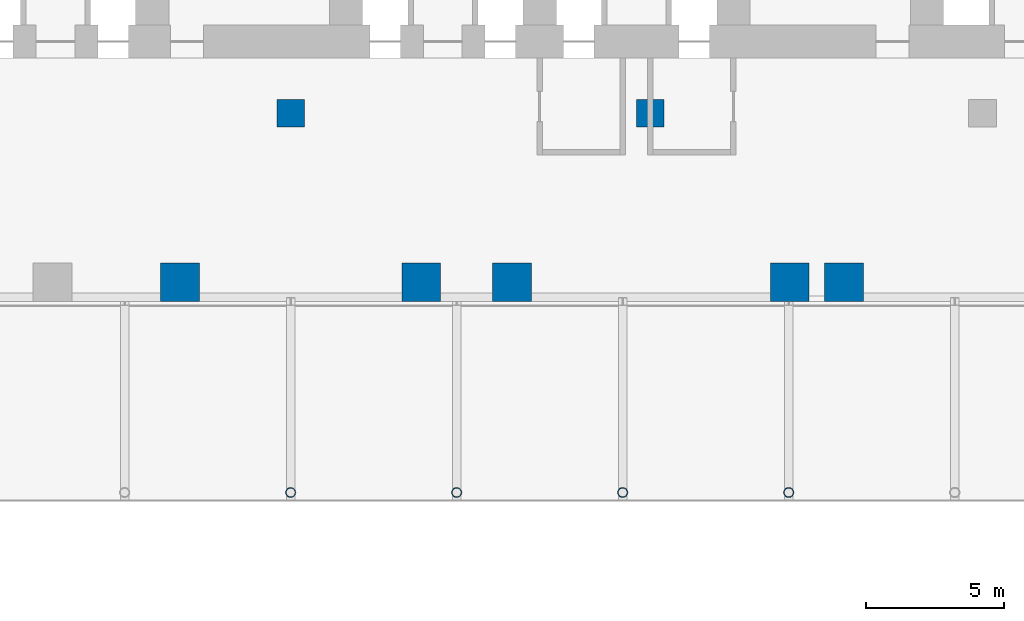
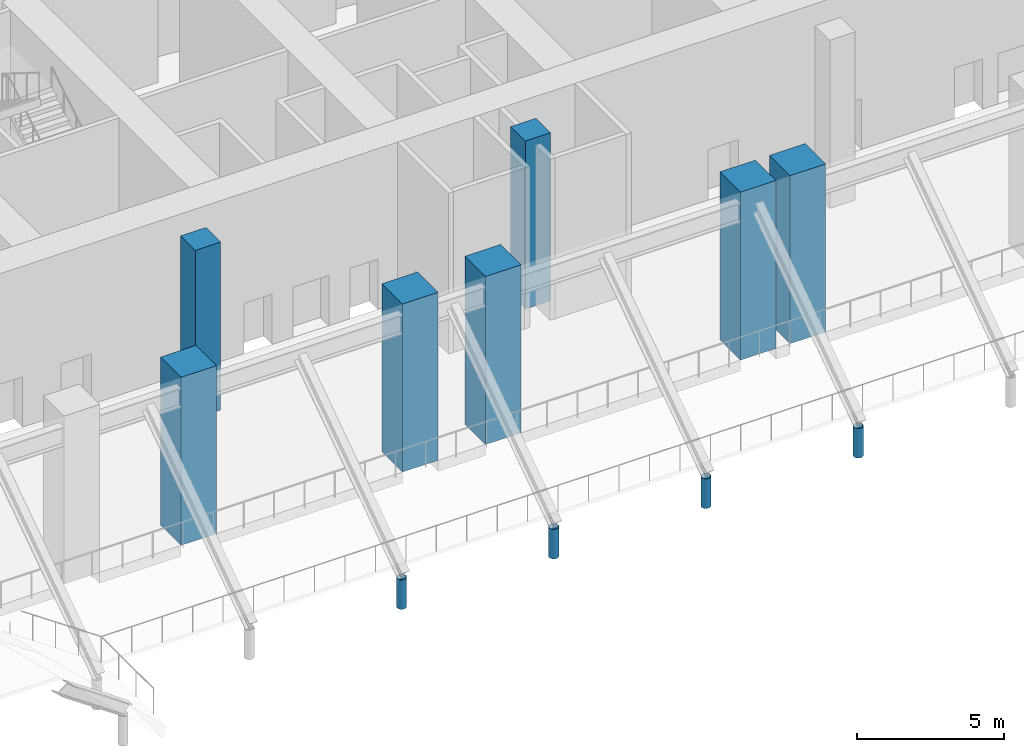
# One storey, part 4 of 41: 11 columns.
"""IFC4 building model written with IfcOpenShell, lengths in metres."""

from ifc_helpers import new_model, si_unit, direction, frame, origin, origin_2d, place, context, subcontext, project, spatial, rectangle, hollow_circle, extrude, material, material_profile, profile_set, type_object, element, save


model = new_model("IFC4")

# Units and contexts
model_context = context("Model", 3, precision=1e-05, world=origin(), true_north=direction((0.0, 1.0)))
body_context = subcontext(model_context, "Body", "Model", "MODEL_VIEW")
ifc_project = project(units=[si_unit("LENGTHUNIT", "METRE"), si_unit("AREAUNIT", "SQUARE_METRE"), si_unit("VOLUMEUNIT", "CUBIC_METRE"), si_unit("PLANEANGLEUNIT", "RADIAN"), si_unit("MASSUNIT", "GRAM", prefix="KILO")], contexts=[model_context])

# Site, building, storey
site_placement = place(None, origin())
site = spatial("IfcSite", under=ifc_project, at=site_placement, CompositionType="ELEMENT")
building_placement = place(site_placement, origin())
building = spatial("IfcBuilding", under=site, at=building_placement, Name="Wharfspan Tower", CompositionType="ELEMENT")
storey_placement = place(building_placement, frame((0.0, 0.0, 8.0)))
storey = spatial("IfcBuildingStorey", under=building, at=storey_placement, Name="L01", CompositionType="ELEMENT", Elevation=8.0)

# Columns
ifc_material_1 = material(Name="Concrete C60/75", Category="concrete")
ifc_material_profile_1 = material_profile(ifc_material_1, rectangle(XDim=1.0, YDim=1.0, at=origin_2d()))
ifc_profile_set_1 = profile_set([ifc_material_profile_1], Name="Concrete C60/75")
column_type_1 = type_object("IfcColumnType", Name="Concrete column 1000 square", PredefinedType="COLUMN", material=ifc_profile_set_1)
for number, where, z_axis, x_axis, name in (
    (1, (41.0, 32.0, 0.0), (0.0, 0.0, 1.0), (1.0, 0.0, 0.0), "Column D.37"),
    (2, (28.0, 32.0, 0.0), (0.0, 0.0, 1.0), (1.0, 0.0, 0.0), "Column D.42"),
):
    element("IfcColumn", number, at=place(storey_placement, frame(where, z_axis=z_axis, x_axis=x_axis)), inside=storey, type_object=column_type_1, Name=name, PredefinedType="COLUMN", context=body_context, shape_type="SweptSolid", body=[
        extrude(rectangle(XDim=1.0, YDim=1.0, at=origin_2d()), origin(), (0.0, 0.0, 1.0), 7.0),
    ])
ifc_material_profile_2 = material_profile(ifc_material_1, rectangle(XDim=1.399902, YDim=1.399902, at=origin_2d()))
ifc_profile_set_2 = profile_set([ifc_material_profile_2], Name="Concrete C60/75")
column_type_2 = type_object("IfcColumnType", Name="Concrete column 1400 square", PredefinedType="COLUMN", material=ifc_profile_set_2)
for number, where, z_axis, x_axis, name in (
    (3, (24.0, 25.899902, 0.0), (0.0, 0.0, 1.0), (1.0, 0.0, 0.0), "Column RN.3"),
    (4, (32.724121, 25.899902, 0.0), (0.0, 0.0, 1.0), (1.0, 0.0, 0.0), "Column RN.4"),
    (5, (36.0, 25.899902, 0.0), (0.0, 0.0, 1.0), (1.0, 0.0, 0.0), "Column RN.5"),
    (6, (46.041992, 25.899902, 0.0), (0.0, 0.0, 1.0), (1.0, 0.0, 0.0), "Column RN.6"),
    (7, (48.0, 25.899902, 0.0), (0.0, 0.0, 1.0), (1.0, 0.0, 0.0), "Column RN.7"),
):
    element("IfcColumn", number, at=place(storey_placement, frame(where, z_axis=z_axis, x_axis=x_axis)), inside=storey, type_object=column_type_2, Name=name, PredefinedType="COLUMN", context=body_context, shape_type="SweptSolid", body=[
        extrude(rectangle(XDim=1.399902, YDim=1.399902, at=origin_2d()), origin(), (0.0, 0.0, 1.0), 7.0),
    ])
ifc_material_2 = material(Name="Steel S460NH", Category="steel")
ifc_material_profile_3 = material_profile(ifc_material_2, hollow_circle(Radius=0.177734, WallThickness=0.016113, at=origin_2d()))
ifc_profile_set_3 = profile_set([ifc_material_profile_3], Name="Steel S460NH")
column_type_3 = type_object("IfcColumnType", Name="Tier column CHS 356x16", PredefinedType="COLUMN", material=ifc_profile_set_3)
for number, where, z_axis, x_axis, name in (
    (8, (28.0, 18.300049, 0.0), (0.0, 0.0, 1.0), (1.0, 0.0, 0.0), "Upper tier column"),
    (9, (34.0, 18.300049, 0.0), (0.0, 0.0, 1.0), (1.0, 0.0, 0.0), "Upper tier column"),
    (10, (40.0, 18.300049, 0.0), (0.0, 0.0, 1.0), (1.0, 0.0, 0.0), "Upper tier column"),
    (11, (46.0, 18.300049, 0.0), (0.0, 0.0, 1.0), (1.0, 0.0, 0.0), "Upper tier column"),
):
    element("IfcColumn", number, at=place(storey_placement, frame(where, z_axis=z_axis, x_axis=x_axis)), inside=storey, type_object=column_type_3, Name=name, PredefinedType="COLUMN", context=body_context, shape_type="SweptSolid", body=[
        extrude(hollow_circle(Radius=0.177734, WallThickness=0.016113, at=origin_2d()), origin(), (0.0, 0.0, 1.0), 1.229248),
    ])

save(model, "model.ifc")
